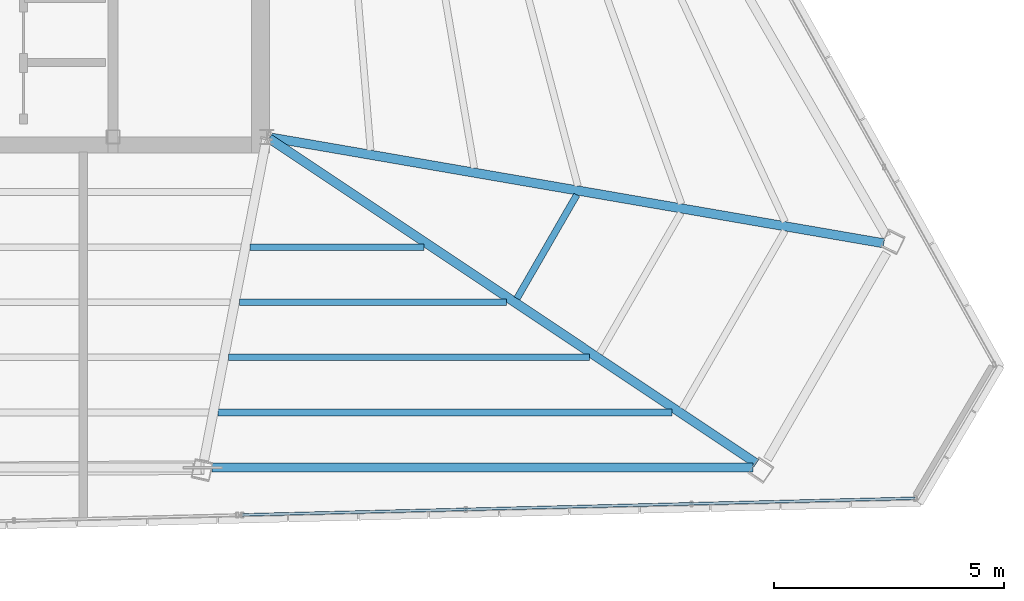
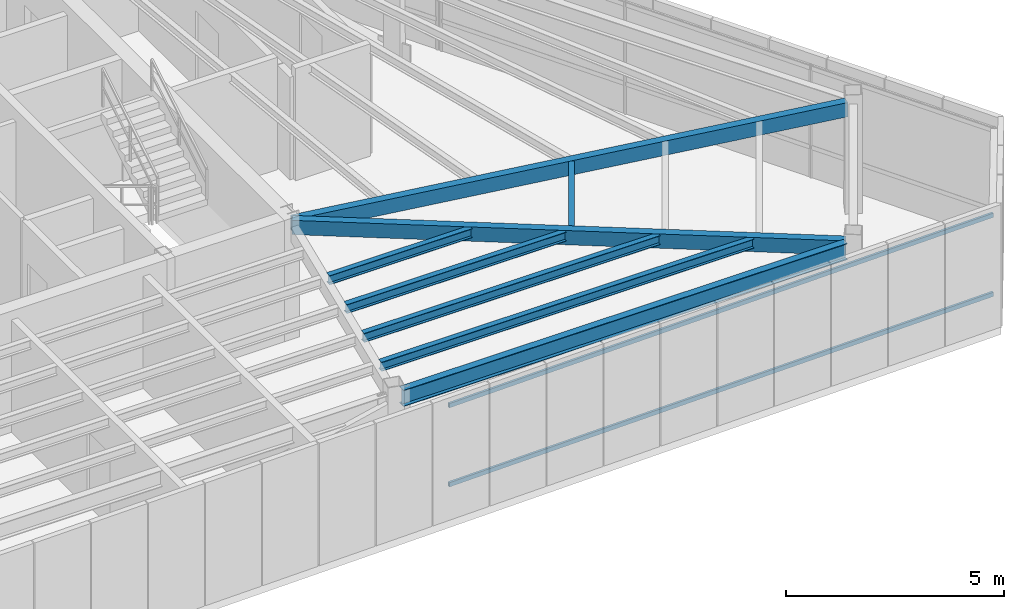
# One storey, part 22 of 44: 8 beams, 2 members, 1 element without a shape of its own.
"""IFC4 building model written with IfcOpenShell, lengths in metres."""

from ifc_helpers import new_model, si_unit, direction, frame, origin, origin_2d, place, context, subcontext, project, spatial, hollow_rectangle, i_section, extrude, source, transform, mapped, material, material_profile, profile_set, type_object, type_shapes, element, aggregate, save


model = new_model("IFC4")

# Units and contexts
model_context = context("Model", 3, precision=1e-05, world=origin(), true_north=direction((0.0, 1.0)))
body_context = subcontext(model_context, "Body", "Model", "MODEL_VIEW")
ifc_project = project(units=[si_unit("LENGTHUNIT", "METRE"), si_unit("AREAUNIT", "SQUARE_METRE"), si_unit("VOLUMEUNIT", "CUBIC_METRE"), si_unit("PLANEANGLEUNIT", "RADIAN"), si_unit("MASSUNIT", "GRAM", prefix="KILO")], contexts=[model_context])

# Site, building, storey
site_placement = place(None, origin())
site = spatial("IfcSite", under=ifc_project, at=site_placement, CompositionType="ELEMENT")
building_placement = place(site_placement, origin())
building = spatial("IfcBuilding", under=site, at=building_placement, Name="Caelisora Broadcast Tower", CompositionType="ELEMENT")
storey_placement = place(building_placement, frame((0.0, 0.0, 296.60009765625)))
storey = spatial("IfcBuildingStorey", under=building, at=storey_placement, Name="L78", CompositionType="ELEMENT", Elevation=296.60009765625)

# Beams
ifc_material_1 = material(Name="Steel Grade 350 (AS/NZS 3679.1)", Category="steel")
ifc_material_profile_1 = material_profile(ifc_material_1, i_section(OverallWidth=0.19091796875, OverallDepth=0.46044921875, WebThickness=0.010009765625, FlangeThickness=0.01611328125, at=origin_2d()), Name="Steel Grade 350 (AS/NZS 3679.1)")
ifc_profile_set_1 = profile_set([ifc_material_profile_1], Name="Steel Grade 350 (AS/NZS 3679.1)")
beam_type_1 = type_object("IfcBeamType", Name="PG06", PredefinedType="BEAM", material=ifc_profile_set_1)
shared_shape_1 = source(origin(), body_context, "Body", "SweptSolid", [
    extrude(i_section(OverallWidth=0.19091796875, OverallDepth=0.46044921875, WebThickness=0.010009765625, FlangeThickness=0.01611328125, at=origin_2d()), origin(), (0.0, 0.0, 1.0), 11.78466796875),
])
type_shapes(beam_type_1, [shared_shape_1])
beam_1_placement = place(storey_placement, frame((44.308349609375, 10.195556640625, 2.919677734375), z_axis=(1.0, 0.0, 0.0), x_axis=(0.0, 1.0, 0.0)))
element("IfcBeam", 1, at=beam_1_placement, inside=storey, type_object=beam_type_1, Name="L78 beam PG06", PredefinedType="BEAM", context=body_context, shape_type="MappedRepresentation", body=[
    mapped(shared_shape_1, transform((0.0, 0.0, 0.0), scale=1.0)),
])
ifc_material_2 = material(Name="Steel Grade 350 (AS/NZS 1163 C350L0)", Category="steel")
ifc_material_profile_2 = material_profile(ifc_material_2, hollow_rectangle(XDim=0.199951171875, YDim=0.39990234375, WallThickness=0.012451171875, at=origin_2d()), Name="Steel Grade 350 (AS/NZS 1163 C350L0)")
ifc_profile_set_2 = profile_set([ifc_material_profile_2], Name="Steel Grade 350 (AS/NZS 1163 C350L0)")
beam_type_2 = type_object("IfcBeamType", Name="PG07", PredefinedType="BEAM", material=ifc_profile_set_2)
shared_shape_2 = source(origin(), body_context, "Body", "SweptSolid", [
    extrude(hollow_rectangle(XDim=0.199951171875, YDim=0.39990234375, WallThickness=0.012451171875, at=origin_2d()), origin(), (0.0, 0.0, 1.0), 13.578369140625),
])
beam_2_placement = place(storey_placement, frame((45.55908203125, 17.389892578125, 2.949951171875), z_axis=(0.985447032696, -0.169982780746, 0.0), x_axis=(0.169982780746, 0.985447032696, 0.0)))
element("IfcBeam", 2, at=beam_2_placement, inside=storey, type_object=beam_type_2, Name="L78 beam PG07", PredefinedType="BEAM", context=body_context, shape_type="MappedRepresentation", body=[
    mapped(shared_shape_2, transform((0.0, 0.0, 0.0), scale=1.0)),
])
shared_shape_3 = source(origin(), body_context, "Body", "SweptSolid", [
    extrude(hollow_rectangle(XDim=0.199951171875, YDim=0.39990234375, WallThickness=0.012451171875, at=origin_2d()), origin(), (0.0, 0.0, 1.0), 12.75537109375),
])
type_shapes(beam_type_2, [shared_shape_2, shared_shape_3])
beam_3_placement = place(storey_placement, frame((45.5498046875, 17.36669921875, 2.949951171875), z_axis=(0.831923653658, -0.554890110277, 0.0), x_axis=(0.554890110277, 0.831923653658, 0.0)))
element("IfcBeam", 3, at=beam_3_placement, inside=storey, type_object=beam_type_2, Name="L78 beam PG07", PredefinedType="BEAM", context=body_context, shape_type="MappedRepresentation", body=[
    mapped(shared_shape_3, transform((0.0, 0.0, 0.0), scale=1.0)),
])
ifc_material_profile_3 = material_profile(ifc_material_1, i_section(OverallWidth=0.14599609375, OverallDepth=0.256103515625, WebThickness=0.00634765625, FlangeThickness=0.010986328125, at=origin_2d()), Name="Steel Grade 350 (AS/NZS 3679.1)")
ifc_profile_set_3 = profile_set([ifc_material_profile_3], Name="Steel Grade 350 (AS/NZS 3679.1)")
beam_type_3 = type_object("IfcBeamType", Name="SB04", PredefinedType="JOIST", material=ifc_profile_set_3)
shared_shape_4 = source(origin(), body_context, "Body", "SweptSolid", [
    extrude(i_section(OverallWidth=0.14599609375, OverallDepth=0.256103515625, WebThickness=0.00634765625, FlangeThickness=0.010986328125, at=origin_2d()), origin(), (0.0, 0.0, 1.0), 2.603759765625),
])
beam_4_placement = place(storey_placement, frame((50.94921875, 13.8818359375, 3.021728515625), z_axis=(0.499971370958, 0.866041932139, 0.0), x_axis=(-0.866041932139, 0.499971370958, 0.0)))
element("IfcBeam", 4, at=beam_4_placement, inside=storey, type_object=beam_type_3, Name="L78 beam SB04", PredefinedType="JOIST", context=body_context, shape_type="MappedRepresentation", body=[
    mapped(shared_shape_4, transform((0.0, 0.0, 0.0), scale=1.0)),
])
shared_shape_5 = source(origin(), body_context, "Body", "SweptSolid", [
    extrude(i_section(OverallWidth=0.14599609375, OverallDepth=0.256103515625, WebThickness=0.00634765625, FlangeThickness=0.010986328125, at=origin_2d()), origin(), (0.0, 0.0, 1.0), 3.790771484375),
])
beam_5_placement = place(storey_placement, frame((45.13232421875, 14.99853515625, 3.021728515625), z_axis=(1.0, 0.0, 0.0), x_axis=(0.0, 1.0, 0.0)))
element("IfcBeam", 5, at=beam_5_placement, inside=storey, type_object=beam_type_3, Name="L78 beam SB04", PredefinedType="JOIST", context=body_context, shape_type="MappedRepresentation", body=[
    mapped(shared_shape_5, transform((0.0, 0.0, 0.0), scale=1.0)),
])
shared_shape_6 = source(origin(), body_context, "Body", "SweptSolid", [
    extrude(i_section(OverallWidth=0.14599609375, OverallDepth=0.256103515625, WebThickness=0.00634765625, FlangeThickness=0.010986328125, at=origin_2d()), origin(), (0.0, 0.0, 1.0), 5.82421875),
])
beam_6_placement = place(storey_placement, frame((44.899169921875, 13.797607421875, 3.021728515625), z_axis=(1.0, 0.0, 0.0), x_axis=(0.0, 1.0, 0.0)))
element("IfcBeam", 6, at=beam_6_placement, inside=storey, type_object=beam_type_3, Name="L78 beam SB04", PredefinedType="JOIST", context=body_context, shape_type="MappedRepresentation", body=[
    mapped(shared_shape_6, transform((0.0, 0.0, 0.0), scale=1.0)),
])
shared_shape_7 = source(origin(), body_context, "Body", "SweptSolid", [
    extrude(i_section(OverallWidth=0.14599609375, OverallDepth=0.256103515625, WebThickness=0.00634765625, FlangeThickness=0.010986328125, at=origin_2d()), origin(), (0.0, 0.0, 1.0), 7.857666015625),
])
beam_7_placement = place(storey_placement, frame((44.665771484375, 12.596923828125, 3.021728515625), z_axis=(1.0, 0.0, 0.0), x_axis=(0.0, 1.0, 0.0)))
element("IfcBeam", 7, at=beam_7_placement, inside=storey, type_object=beam_type_3, Name="L78 beam SB04", PredefinedType="JOIST", context=body_context, shape_type="MappedRepresentation", body=[
    mapped(shared_shape_7, transform((0.0, 0.0, 0.0), scale=1.0)),
])
shared_shape_8 = source(origin(), body_context, "Body", "SweptSolid", [
    extrude(i_section(OverallWidth=0.14599609375, OverallDepth=0.256103515625, WebThickness=0.00634765625, FlangeThickness=0.010986328125, at=origin_2d()), origin(), (0.0, 0.0, 1.0), 9.89111328125),
])
type_shapes(beam_type_3, [shared_shape_4, shared_shape_5, shared_shape_6, shared_shape_7, shared_shape_8])
beam_8_placement = place(storey_placement, frame((44.4326171875, 11.396240234375, 3.021728515625), z_axis=(1.0, 0.0, 0.0), x_axis=(0.0, 1.0, 0.0)))
element("IfcBeam", 8, at=beam_8_placement, inside=storey, type_object=beam_type_3, Name="L78 beam SB04", PredefinedType="JOIST", context=body_context, shape_type="MappedRepresentation", body=[
    mapped(shared_shape_8, transform((0.0, 0.0, 0.0), scale=1.0)),
])

# Curtain wall, members
ifc_material_3 = material(Name="Unitised Aluminium Insulated Shadow-Box Spandrel Curtain Wall", Category="aluminium")
curtain_wall_type = type_object("IfcCurtainWallType", Name="CW-SP3", PredefinedType="NOTDEFINED", material=ifc_material_3)
curtain_wall_placement = place(storey_placement, origin())
curtain_wall = element("IfcCurtainWall", 9, at=curtain_wall_placement, inside=storey, type_object=curtain_wall_type, Name="L78 curtain wall CW-SP3", PredefinedType="NOTDEFINED")
ifc_material_4 = material(Name="Aluminium 6063-T6 Anodised Terracotta Bronze", Category="aluminium")
ifc_material_profile_4 = material_profile(ifc_material_4, hollow_rectangle(XDim=0.06005859375, YDim=0.1201171875, WallThickness=0.0029296875, at=origin_2d()), Name="Aluminium 6063-T6 Anodised Terracotta Bronze")
ifc_profile_set_4 = profile_set([ifc_material_profile_4], Name="Aluminium 6063-T6 Anodised Terracotta Bronze")
member_type = type_object("IfcMemberType", Name="CWT-03", PredefinedType="USERDEFINED", material=ifc_profile_set_4)
shared_shape_9 = source(origin(), body_context, "Body", "SweptSolid", [
    extrude(hollow_rectangle(XDim=0.06005859375, YDim=0.1201171875, WallThickness=0.0029296875, at=origin_2d()), origin(), (0.0, 0.0, 1.0), 14.65771484375),
])
type_shapes(member_type, [shared_shape_9])
member_1_placement = place(storey_placement, frame((59.618896484375, 9.52783203125, 0.849853515625), z_axis=(-0.999694063289, -0.024734183339, 0.0), x_axis=(0.024734183339, -0.999694063289, 0.0)))
member_1 = element("IfcMember", 10, at=member_1_placement, type_object=member_type, Name="L78-CW-B05 transom #1", ObjectType="TRANSOM", PredefinedType="USERDEFINED", context=body_context, shape_type="MappedRepresentation", body=[
    mapped(shared_shape_9, transform((0.0, 0.0, 0.0), scale=1.0)),
])
member_2_placement = place(storey_placement, frame((59.618896484375, 9.52783203125, 3.06982421875), z_axis=(-0.999694063289, -0.024734183339, 0.0), x_axis=(0.024734183339, -0.999694063289, 0.0)))
member_2 = element("IfcMember", 11, at=member_2_placement, type_object=member_type, Name="L78-CW-B05 transom #2", ObjectType="TRANSOM", PredefinedType="USERDEFINED", context=body_context, shape_type="MappedRepresentation", body=[
    mapped(shared_shape_9, transform((0.0, 0.0, 0.0), scale=1.0)),
])
aggregate(curtain_wall, [member_1, member_2])

save(model, "model.ifc")
